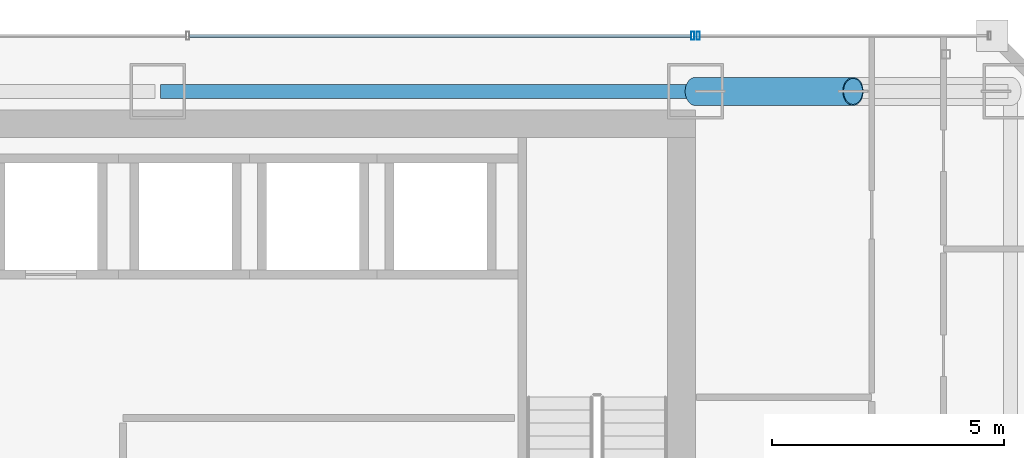
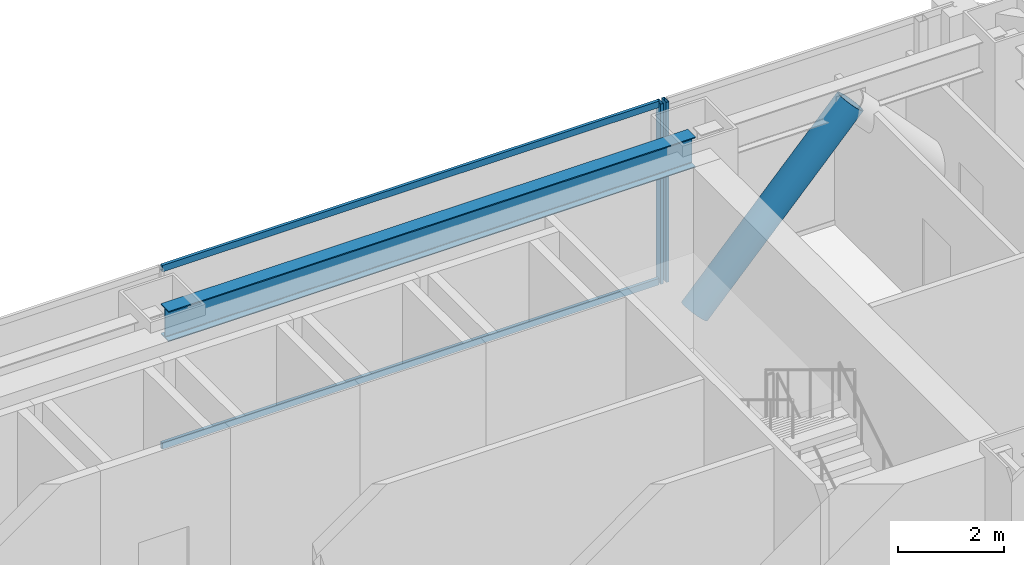
# One storey, part 32 of 47: 5 members, 1 beam, 2 elements without a shape of their own.
"""IFC4 building model written with IfcOpenShell, lengths in metres."""

import ifcopenshell
import ifcopenshell.guid

model = None  # the IFC model being written
_history = None  # IfcOwnerHistory: only IFC2X3 demands one
_inside = {}  # id of a spatial element -> (the spatial element, [elements in it])
_under = {}  # id of a project, library or spatial element -> (it, [spatial elements below it])
_declared = {}  # id of a project -> (the project, [libraries it declares])
_typed = {}  # id of a type object -> (the type object, [elements of that type])
_made_of = {}  # id of a material, layer set ... -> (it, [elements and type objects made of it])


def new_model(schema):
    """Start an empty IFC model of exactly this schema.

    Asked for "IFC4X3", IfcOpenShell would pick the latest addendum, in which some entities
    have other attributes; the version numbers below select the first issue.
    IFC2X3 requires an IfcOwnerHistory on every rooted entity: one is made here for all.
    """
    global model, _history
    if schema == "IFC4X3":
        model = ifcopenshell.file(schema_version=(4, 3, 0, 0))
    else:
        model = ifcopenshell.file(schema=schema)
    _inside.clear()
    _under.clear()
    _declared.clear()
    _typed.clear()
    _made_of.clear()
    _history = None
    if model.schema == "IFC2X3":
        org = make("IfcOrganization", Name="unknown")
        user = make(
            "IfcPersonAndOrganization",
            ThePerson=make("IfcPerson", FamilyName="unknown"),
            TheOrganization=org,
        )
        app = make(
            "IfcApplication",
            ApplicationDeveloper=org,
            Version="unknown",
            ApplicationFullName="unknown",
            ApplicationIdentifier="unknown",
        )
        _history = make(
            "IfcOwnerHistory",
            OwningUser=user,
            OwningApplication=app,
            ChangeAction="ADDED",
            CreationDate=0,
        )
    return model


def make(cls, **values):
    """One entity of the class cls with the attributes given. An attribute that is None is left unset."""
    return model.create_entity(
        cls, **{name: value for name, value in values.items() if value is not None}
    )


def rooted(cls, **values):
    """An entity with a GlobalId (a new one), such as an element, a storey or a relation."""
    return make(cls, GlobalId=ifcopenshell.guid.new(), OwnerHistory=_history, **values)


def si_unit(unit_type, name, prefix=None):
    """IfcSIUnit, for example si_unit("LENGTHUNIT", "METRE", prefix="MILLI")."""
    return make("IfcSIUnit", UnitType=unit_type, Prefix=prefix, Name=name)


def assignment(units):
    """IfcUnitAssignment: the units of a project."""
    return None if units is None else make("IfcUnitAssignment", Units=units)


def point(xyz):
    """IfcCartesianPoint."""
    return None if xyz is None else make("IfcCartesianPoint", Coordinates=xyz)


def direction(xyz):
    """IfcDirection."""
    return None if xyz is None else make("IfcDirection", DirectionRatios=xyz)


def frame(location, z_axis=None, x_axis=None):
    """IfcAxis2Placement3D, a coordinate frame: its origin and axes. An axis left out is left unset."""
    return make(
        "IfcAxis2Placement3D",
        Location=point(location),
        Axis=direction(z_axis),
        RefDirection=direction(x_axis),
    )


def frame_2d(location, x_axis=None):
    """IfcAxis2Placement2D, a coordinate frame in the plane: its origin and x axis."""
    return make(
        "IfcAxis2Placement2D", Location=point(location), RefDirection=direction(x_axis)
    )


def origin():
    """The frame at (0, 0, 0) with its axes left unset."""
    return frame((0.0, 0.0, 0.0))


def origin_2d():
    """The frame at (0, 0) in the plane with its x axis left unset."""
    return frame_2d((0.0, 0.0))


def place(relative_to, where):
    """IfcLocalPlacement: puts the frame where relative to a parent placement (None: the world)."""
    return make(
        "IfcLocalPlacement", PlacementRelTo=relative_to, RelativePlacement=where
    )


def context(
    kind, dimensions, precision=None, world=None, true_north=None, identifier=None
):
    """IfcGeometricRepresentationContext, for example the 3D "Model" context."""
    return make(
        "IfcGeometricRepresentationContext",
        ContextIdentifier=identifier,
        ContextType=kind,
        CoordinateSpaceDimension=dimensions,
        Precision=precision,
        WorldCoordinateSystem=world,
        TrueNorth=true_north,
    )


def subcontext(parent, identifier, kind, view, scale=None):
    """IfcGeometricRepresentationSubContext, for example "Body" below "Model"."""
    return make(
        "IfcGeometricRepresentationSubContext",
        ContextIdentifier=identifier,
        ContextType=kind,
        ParentContext=parent,
        TargetScale=scale,
        TargetView=view,
    )


def project(units=None, contexts=None):
    """IfcProject with its units and contexts."""
    return rooted(
        "IfcProject",
        Name="project",
        RepresentationContexts=contexts,
        UnitsInContext=assignment(units),
    )


def spatial(cls, under=None, at=None, **own):
    """A site, building, storey or space (cls), placed at a placement, below another one or the project."""
    s = rooted(cls, ObjectPlacement=at, **own)
    if under is not None:
        _under.setdefault(under.id(), (under, []))[1].append(s)
    return s


def profile(cls, at=None, kind="AREA", **sizes):
    """A parametric profile (cls). Its sizes go by their IFC names, for example OverallWidth=200.0."""
    return make(cls, ProfileType=kind, Position=at, **sizes)


def hollow_rectangle(**sizes):
    """IfcRectangleHollowProfileDef."""
    return profile("IfcRectangleHollowProfileDef", **sizes)


def hollow_circle(**sizes):
    """IfcCircleHollowProfileDef."""
    return profile("IfcCircleHollowProfileDef", **sizes)


def i_section(**sizes):
    """IfcIShapeProfileDef."""
    return profile("IfcIShapeProfileDef", **sizes)


def extrude(swept, where, along, depth):
    """IfcExtrudedAreaSolid: the profile swept, set in the frame where, extruded along a direction by depth."""
    return make(
        "IfcExtrudedAreaSolid",
        SweptArea=swept,
        Position=where,
        ExtrudedDirection=direction(along),
        Depth=depth,
    )


def shape(context_of_items, identifier, shape_type, items):
    """IfcShapeRepresentation: the items that make up one representation, for example the "Body"."""
    return make(
        "IfcShapeRepresentation",
        ContextOfItems=context_of_items,
        RepresentationIdentifier=identifier,
        RepresentationType=shape_type,
        Items=items,
    )


def material(Name=None, Category=None):
    """IfcMaterial."""
    return make("IfcMaterial", Name=Name, Category=Category)


def material_profile(
    of_material, cross_section, Name=None, Category=None, Priority=None
):
    """IfcMaterialProfile: a cross section and its material."""
    return make(
        "IfcMaterialProfile",
        Name=Name,
        Material=of_material,
        Profile=cross_section,
        Priority=Priority,
        Category=Category,
    )


def profile_set(profiles, Name=None, composite=None):
    """IfcMaterialProfileSet."""
    return make(
        "IfcMaterialProfileSet",
        Name=Name,
        MaterialProfiles=profiles,
        CompositeProfile=composite,
    )


def made_of(thing, what):
    """Note that an element or type object is made of a material, layer set ...; save() writes the relation."""
    if what is not None:
        _made_of.setdefault(what.id(), (what, []))[1].append(thing)
    return thing


def type_object(cls, material=None, **own):
    """A type object (cls), such as IfcWallType, which elements share."""
    return made_of(rooted(cls, **own), material)


def element(
    cls,
    number,
    at=None,
    inside=None,
    cuts=None,
    type_object=None,
    material=None,
    context=None,
    identifier="Body",
    shape_type=None,
    held_by="IfcProductDefinitionShape",
    body=None,
    shapes=None,
    **own,
):
    """One element of the class cls, such as IfcWall. Its Tag is "e" and its number.

    at: its placement. inside: the storey or other place that contains it. cuts: it is an
    opening in that element (IfcRelVoidsElement). A single representation is given by context,
    identifier, shape_type and body (its items); several are given by shapes. held_by: the class
    of the entity that holds the representations. save() writes the other relations.
    """
    e = rooted(cls, Tag="e%d" % number, ObjectPlacement=at, **own)
    if body is not None:
        shapes = [shape(context, identifier, shape_type, body)]
    if shapes is not None:
        e.Representation = make(held_by, Representations=shapes)
    if inside is not None:
        _inside.setdefault(inside.id(), (inside, []))[1].append(e)
    if cuts is not None:
        rooted(
            "IfcRelVoidsElement", RelatingBuildingElement=cuts, RelatedOpeningElement=e
        )
    if type_object is not None:
        _typed.setdefault(type_object.id(), (type_object, []))[1].append(e)
    return made_of(e, material)


def aggregate(whole, parts):
    """IfcRelAggregates: a whole, such as a stair, and the parts it consists of."""
    return rooted("IfcRelAggregates", RelatingObject=whole, RelatedObjects=parts)


def save(model, path):
    """Write the relations noted so far, then the file.

    IfcRelAggregates (storeys below a building ...), IfcRelContainedInSpatialStructure (elements
    in a storey), IfcRelDefinesByType, IfcRelAssociatesMaterial and IfcRelDeclares: one each for
    every whole, place, type object, material and project.
    """
    for whole, parts in _under.values():
        aggregate(whole, parts)
    for where, things in _inside.values():
        rooted(
            "IfcRelContainedInSpatialStructure",
            RelatedElements=things,
            RelatingStructure=where,
        )
    for kind, things in _typed.values():
        rooted("IfcRelDefinesByType", RelatedObjects=things, RelatingType=kind)
    for what, things in _made_of.values():
        rooted("IfcRelAssociatesMaterial", RelatedObjects=things, RelatingMaterial=what)
    for by, libraries in _declared.values():
        rooted("IfcRelDeclares", RelatingContext=by, RelatedDefinitions=libraries)
    model.write(path)


model = new_model("IFC4")

# Units and contexts
model_context = context("Model", 3, precision=1e-05, world=origin(), true_north=direction((0.0, 1.0)))
body_context = subcontext(model_context, "Body", "Model", "MODEL_VIEW")
ifc_project = project(units=[si_unit("LENGTHUNIT", "METRE"), si_unit("AREAUNIT", "SQUARE_METRE"), si_unit("VOLUMEUNIT", "CUBIC_METRE"), si_unit("PLANEANGLEUNIT", "RADIAN"), si_unit("MASSUNIT", "GRAM", prefix="KILO")], contexts=[model_context])

# Site, building, storey
site_placement = place(None, origin())
site = spatial("IfcSite", under=ifc_project, at=site_placement, CompositionType="ELEMENT")
building_placement = place(site_placement, origin())
building = spatial("IfcBuilding", under=site, at=building_placement, Name="Saevonmaru Cultural Tower", CompositionType="ELEMENT")
storey_placement = place(building_placement, frame((0.0, 0.0, 42.800048828125)))
storey = spatial("IfcBuildingStorey", under=building, at=storey_placement, Name="L08", CompositionType="ELEMENT", Elevation=42.800048828125)

# Beam
ifc_material_1 = material(Name="Steel SM355", Category="steel")
ifc_material_profile_1 = material_profile(ifc_material_1, i_section(OverallWidth=0.300048828125, OverallDepth=0.699951171875, WebThickness=0.012939453125, FlangeThickness=0.02392578125, FilletRadius=0.02587890625, at=origin_2d()), Name="H-700x300x13x24")
ifc_profile_set_1 = profile_set([ifc_material_profile_1], Name="Steel SM355")
beam_type = type_object("IfcBeamType", Name="BM-SP-H700", PredefinedType="SPANDREL", material=ifc_profile_set_1)
beam_placement = place(storey_placement, frame((34.860107421875, 54.800048828125, 3.800048828125), z_axis=(1.0, 0.0, 0.0), x_axis=(0.0, 1.0, 0.0)))
element("IfcBeam", 1, at=beam_placement, inside=storey, type_object=beam_type, Name="L08 North Spine Girder 4", PredefinedType="SPANDREL", context=body_context, shape_type="SweptSolid", body=[
    extrude(i_section(OverallWidth=0.300048828125, OverallDepth=0.699951171875, WebThickness=0.012939453125, FlangeThickness=0.02392578125, FilletRadius=0.02587890625, at=origin_2d()), origin(), (0.0, 0.0, 1.0), 11.47998046875),
])

# Member
ifc_material_2 = material(Name="Steel HSA600 (600 MPa)", Category="steel")
ifc_material_profile_2 = material_profile(ifc_material_2, hollow_circle(Radius=0.3046875, WallThickness=0.02490234375, at=origin_2d()), Name="CHS-609.6x25")
ifc_profile_set_2 = profile_set([ifc_material_profile_2], Name="Steel HSA600 (600 MPa)")
member_type_1 = type_object("IfcMemberType", Name="MB-PBR-CHS610", PredefinedType="BRACE", material=ifc_profile_set_2)
member_1_placement = place(storey_placement, frame((46.39990234375, 54.800048828125, 0.02001953125), z_axis=(0.681629141635, 0.0, 0.731697829212), x_axis=(0.0, 1.0, 0.0)))
element("IfcMember", 2, at=member_1_placement, inside=storey, type_object=member_type_1, Name="L08 Perimeter Braced-Tube Diagonal EN1", PredefinedType="BRACE", context=body_context, shape_type="SweptSolid", body=[
    extrude(hollow_circle(Radius=0.3046875, WallThickness=0.02490234375, at=origin_2d()), origin(), (0.0, 0.0, 1.0), 4.98828125),
])

# Curtain wall, member
ifc_material_3 = material(Name="Satin Bronze Anodised Aluminium", Category="aluminium")
curtain_wall_type = type_object("IfcCurtainWallType", Name="CW-TYP-A", PredefinedType="NOTDEFINED", material=ifc_material_3)
curtain_wall_1_placement = place(storey_placement, origin())
curtain_wall_1 = element("IfcCurtainWall", 3, at=curtain_wall_1_placement, inside=storey, type_object=curtain_wall_type, Name="L08 East Braced Bay Spandrel Curtain Wall E10A", PredefinedType="NOTDEFINED")
ifc_material_profile_3 = material_profile(ifc_material_3, hollow_rectangle(XDim=0.06494140625, YDim=0.179931640625, WallThickness=0.00390625, at=origin_2d()), Name="ALU-MULL-180x65x4")
ifc_profile_set_3 = profile_set([ifc_material_profile_3], Name="Satin Bronze Anodised Aluminium")
member_type_2 = type_object("IfcMemberType", Name="ML-CW-180x65", PredefinedType="MULLION", material=ifc_profile_set_3)
member_2_placement = place(storey_placement, frame((46.4599609375, 56.0, 0.0), z_axis=(0.0, 0.0, 1.0), x_axis=(-1.0, 0.0, 0.0)))
member_2 = element("IfcMember", 4, at=member_2_placement, type_object=member_type_2, Name="CW-TW-L08-E10A mullion 2", PredefinedType="MULLION", context=body_context, shape_type="SweptSolid", body=[
    extrude(hollow_rectangle(XDim=0.06494140625, YDim=0.179931640625, WallThickness=0.00390625, at=origin_2d()), origin(), (0.0, 0.0, 1.0), 4.14990234375),
])
aggregate(curtain_wall_1, [member_2])

# Curtain wall, members
curtain_wall_2_placement = place(storey_placement, origin())
curtain_wall_2 = element("IfcCurtainWall", 5, at=curtain_wall_2_placement, inside=storey, type_object=curtain_wall_type, Name="L08 North Spine Unitised Curtain Wall E10B", PredefinedType="NOTDEFINED")
member_3_placement = place(storey_placement, frame((46.340087890625, 56.0, 0.0), z_axis=(0.0, 0.0, 1.0), x_axis=(-1.0, 0.0, 0.0)))
member_3 = element("IfcMember", 6, at=member_3_placement, type_object=member_type_2, Name="CW-TW-L08-E10B mullion 1", PredefinedType="MULLION", context=body_context, shape_type="SweptSolid", body=[
    extrude(hollow_rectangle(XDim=0.06494140625, YDim=0.179931640625, WallThickness=0.00390625, at=origin_2d()), origin(), (0.0, 0.0, 1.0), 4.14990234375),
])
ifc_material_profile_4 = material_profile(ifc_material_3, hollow_rectangle(XDim=0.06494140625, YDim=0.14990234375, WallThickness=0.00390625, at=origin_2d()), Name="ALU-TRAN-150x65x4")
ifc_profile_set_4 = profile_set([ifc_material_profile_4], Name="Satin Bronze Anodised Aluminium")
member_type_3 = type_object("IfcMemberType", Name="TR-CW-150x65", PredefinedType="USERDEFINED", material=ifc_profile_set_4)
member_4_placement = place(storey_placement, frame((46.3076171875, 56.0, 0.032470703125), z_axis=(-1.0, 0.0, 0.0), x_axis=(0.0, -1.0, 0.0)))
member_4 = element("IfcMember", 7, at=member_4_placement, type_object=member_type_3, Name="CW-TW-L08-E10B transom 1.1", ObjectType="TRANSOM", PredefinedType="USERDEFINED", context=body_context, shape_type="SweptSolid", body=[
    extrude(hollow_rectangle(XDim=0.06494140625, YDim=0.14990234375, WallThickness=0.00390625, at=origin_2d()), origin(), (0.0, 0.0, 1.0), 10.828369140625),
])
member_5_placement = place(storey_placement, frame((46.3076171875, 56.0, 4.117431640625), z_axis=(-1.0, 0.0, 0.0), x_axis=(0.0, -1.0, 0.0)))
member_5 = element("IfcMember", 8, at=member_5_placement, type_object=member_type_3, Name="CW-TW-L08-E10B transom 1.2", ObjectType="TRANSOM", PredefinedType="USERDEFINED", context=body_context, shape_type="SweptSolid", body=[
    extrude(hollow_rectangle(XDim=0.06494140625, YDim=0.14990234375, WallThickness=0.00390625, at=origin_2d()), origin(), (0.0, 0.0, 1.0), 10.828369140625),
])
aggregate(curtain_wall_2, [member_3, member_4, member_5])

save(model, "model.ifc")
